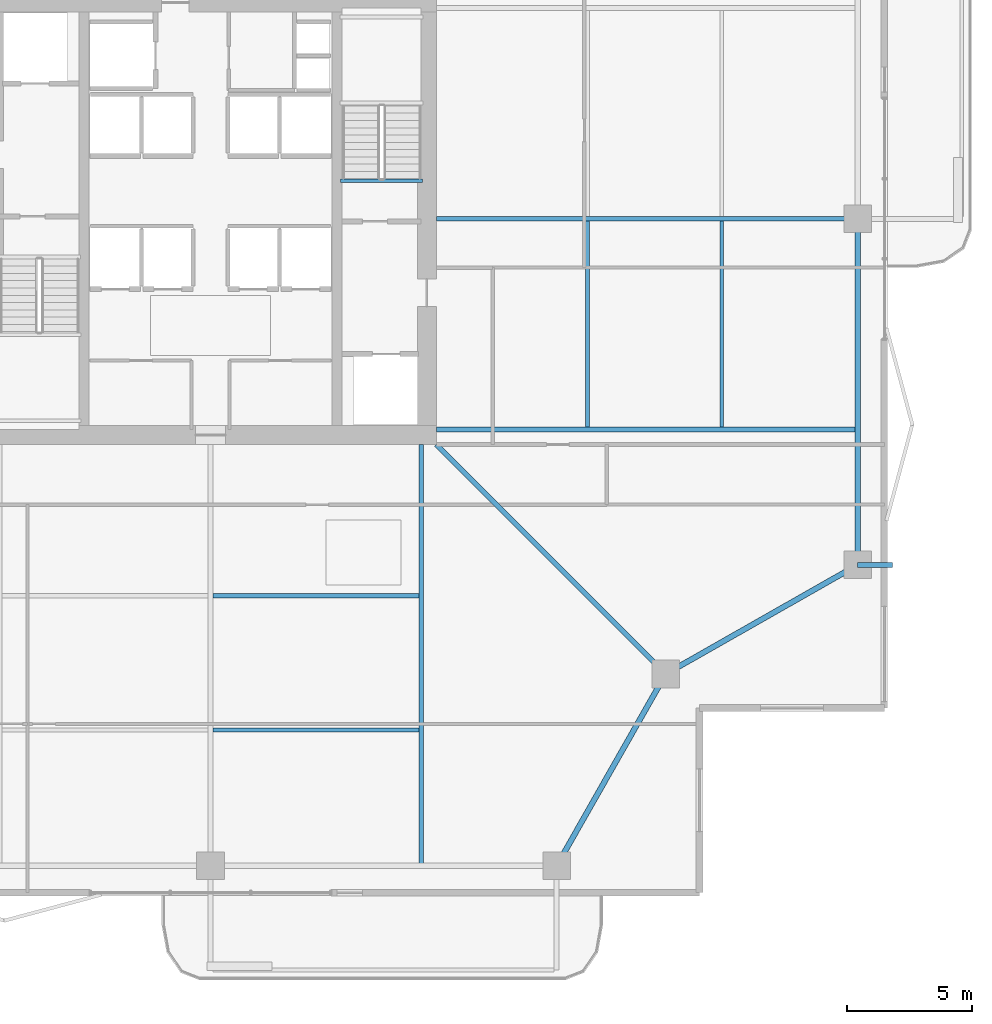
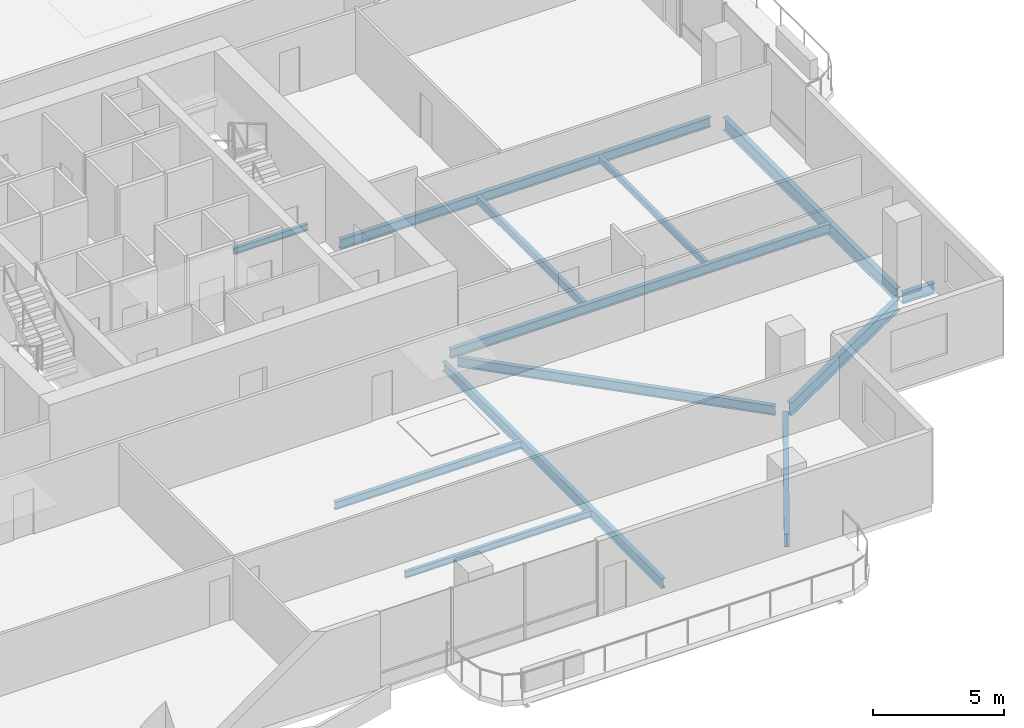
# One storey, part 7 of 24: 13 beams.
"""IFC4 building model written with IfcOpenShell, lengths in metres."""

import ifcopenshell
import ifcopenshell.guid

model = None  # the IFC model being written
_history = None  # IfcOwnerHistory: only IFC2X3 demands one
_inside = {}  # id of a spatial element -> (the spatial element, [elements in it])
_under = {}  # id of a project, library or spatial element -> (it, [spatial elements below it])
_declared = {}  # id of a project -> (the project, [libraries it declares])
_typed = {}  # id of a type object -> (the type object, [elements of that type])
_made_of = {}  # id of a material, layer set ... -> (it, [elements and type objects made of it])


def new_model(schema):
    """Start an empty IFC model of exactly this schema.

    Asked for "IFC4X3", IfcOpenShell would pick the latest addendum, in which some entities
    have other attributes; the version numbers below select the first issue.
    IFC2X3 requires an IfcOwnerHistory on every rooted entity: one is made here for all.
    """
    global model, _history
    if schema == "IFC4X3":
        model = ifcopenshell.file(schema_version=(4, 3, 0, 0))
    else:
        model = ifcopenshell.file(schema=schema)
    _inside.clear()
    _under.clear()
    _declared.clear()
    _typed.clear()
    _made_of.clear()
    _history = None
    if model.schema == "IFC2X3":
        org = make("IfcOrganization", Name="unknown")
        user = make(
            "IfcPersonAndOrganization",
            ThePerson=make("IfcPerson", FamilyName="unknown"),
            TheOrganization=org,
        )
        app = make(
            "IfcApplication",
            ApplicationDeveloper=org,
            Version="unknown",
            ApplicationFullName="unknown",
            ApplicationIdentifier="unknown",
        )
        _history = make(
            "IfcOwnerHistory",
            OwningUser=user,
            OwningApplication=app,
            ChangeAction="ADDED",
            CreationDate=0,
        )
    return model


def make(cls, **values):
    """One entity of the class cls with the attributes given. An attribute that is None is left unset."""
    return model.create_entity(
        cls, **{name: value for name, value in values.items() if value is not None}
    )


def rooted(cls, **values):
    """An entity with a GlobalId (a new one), such as an element, a storey or a relation."""
    return make(cls, GlobalId=ifcopenshell.guid.new(), OwnerHistory=_history, **values)


def si_unit(unit_type, name, prefix=None):
    """IfcSIUnit, for example si_unit("LENGTHUNIT", "METRE", prefix="MILLI")."""
    return make("IfcSIUnit", UnitType=unit_type, Prefix=prefix, Name=name)


def assignment(units):
    """IfcUnitAssignment: the units of a project."""
    return None if units is None else make("IfcUnitAssignment", Units=units)


def point(xyz):
    """IfcCartesianPoint."""
    return None if xyz is None else make("IfcCartesianPoint", Coordinates=xyz)


def direction(xyz):
    """IfcDirection."""
    return None if xyz is None else make("IfcDirection", DirectionRatios=xyz)


def frame(location, z_axis=None, x_axis=None):
    """IfcAxis2Placement3D, a coordinate frame: its origin and axes. An axis left out is left unset."""
    return make(
        "IfcAxis2Placement3D",
        Location=point(location),
        Axis=direction(z_axis),
        RefDirection=direction(x_axis),
    )


def frame_2d(location, x_axis=None):
    """IfcAxis2Placement2D, a coordinate frame in the plane: its origin and x axis."""
    return make(
        "IfcAxis2Placement2D", Location=point(location), RefDirection=direction(x_axis)
    )


def origin():
    """The frame at (0, 0, 0) with its axes left unset."""
    return frame((0.0, 0.0, 0.0))


def origin_2d():
    """The frame at (0, 0) in the plane with its x axis left unset."""
    return frame_2d((0.0, 0.0))


def place(relative_to, where):
    """IfcLocalPlacement: puts the frame where relative to a parent placement (None: the world)."""
    return make(
        "IfcLocalPlacement", PlacementRelTo=relative_to, RelativePlacement=where
    )


def context(
    kind, dimensions, precision=None, world=None, true_north=None, identifier=None
):
    """IfcGeometricRepresentationContext, for example the 3D "Model" context."""
    return make(
        "IfcGeometricRepresentationContext",
        ContextIdentifier=identifier,
        ContextType=kind,
        CoordinateSpaceDimension=dimensions,
        Precision=precision,
        WorldCoordinateSystem=world,
        TrueNorth=true_north,
    )


def subcontext(parent, identifier, kind, view, scale=None):
    """IfcGeometricRepresentationSubContext, for example "Body" below "Model"."""
    return make(
        "IfcGeometricRepresentationSubContext",
        ContextIdentifier=identifier,
        ContextType=kind,
        ParentContext=parent,
        TargetScale=scale,
        TargetView=view,
    )


def project(units=None, contexts=None):
    """IfcProject with its units and contexts."""
    return rooted(
        "IfcProject",
        Name="project",
        RepresentationContexts=contexts,
        UnitsInContext=assignment(units),
    )


def spatial(cls, under=None, at=None, **own):
    """A site, building, storey or space (cls), placed at a placement, below another one or the project."""
    s = rooted(cls, ObjectPlacement=at, **own)
    if under is not None:
        _under.setdefault(under.id(), (under, []))[1].append(s)
    return s


def profile(cls, at=None, kind="AREA", **sizes):
    """A parametric profile (cls). Its sizes go by their IFC names, for example OverallWidth=200.0."""
    return make(cls, ProfileType=kind, Position=at, **sizes)


def i_section(**sizes):
    """IfcIShapeProfileDef."""
    return profile("IfcIShapeProfileDef", **sizes)


def extrude(swept, where, along, depth):
    """IfcExtrudedAreaSolid: the profile swept, set in the frame where, extruded along a direction by depth."""
    return make(
        "IfcExtrudedAreaSolid",
        SweptArea=swept,
        Position=where,
        ExtrudedDirection=direction(along),
        Depth=depth,
    )


def shape(context_of_items, identifier, shape_type, items):
    """IfcShapeRepresentation: the items that make up one representation, for example the "Body"."""
    return make(
        "IfcShapeRepresentation",
        ContextOfItems=context_of_items,
        RepresentationIdentifier=identifier,
        RepresentationType=shape_type,
        Items=items,
    )


def material(Name=None, Category=None):
    """IfcMaterial."""
    return make("IfcMaterial", Name=Name, Category=Category)


def material_profile(
    of_material, cross_section, Name=None, Category=None, Priority=None
):
    """IfcMaterialProfile: a cross section and its material."""
    return make(
        "IfcMaterialProfile",
        Name=Name,
        Material=of_material,
        Profile=cross_section,
        Priority=Priority,
        Category=Category,
    )


def profile_set(profiles, Name=None, composite=None):
    """IfcMaterialProfileSet."""
    return make(
        "IfcMaterialProfileSet",
        Name=Name,
        MaterialProfiles=profiles,
        CompositeProfile=composite,
    )


def made_of(thing, what):
    """Note that an element or type object is made of a material, layer set ...; save() writes the relation."""
    if what is not None:
        _made_of.setdefault(what.id(), (what, []))[1].append(thing)
    return thing


def type_object(cls, material=None, **own):
    """A type object (cls), such as IfcWallType, which elements share."""
    return made_of(rooted(cls, **own), material)


def element(
    cls,
    number,
    at=None,
    inside=None,
    cuts=None,
    type_object=None,
    material=None,
    context=None,
    identifier="Body",
    shape_type=None,
    held_by="IfcProductDefinitionShape",
    body=None,
    shapes=None,
    **own,
):
    """One element of the class cls, such as IfcWall. Its Tag is "e" and its number.

    at: its placement. inside: the storey or other place that contains it. cuts: it is an
    opening in that element (IfcRelVoidsElement). A single representation is given by context,
    identifier, shape_type and body (its items); several are given by shapes. held_by: the class
    of the entity that holds the representations. save() writes the other relations.
    """
    e = rooted(cls, Tag="e%d" % number, ObjectPlacement=at, **own)
    if body is not None:
        shapes = [shape(context, identifier, shape_type, body)]
    if shapes is not None:
        e.Representation = make(held_by, Representations=shapes)
    if inside is not None:
        _inside.setdefault(inside.id(), (inside, []))[1].append(e)
    if cuts is not None:
        rooted(
            "IfcRelVoidsElement", RelatingBuildingElement=cuts, RelatedOpeningElement=e
        )
    if type_object is not None:
        _typed.setdefault(type_object.id(), (type_object, []))[1].append(e)
    return made_of(e, material)


def aggregate(whole, parts):
    """IfcRelAggregates: a whole, such as a stair, and the parts it consists of."""
    return rooted("IfcRelAggregates", RelatingObject=whole, RelatedObjects=parts)


def save(model, path):
    """Write the relations noted so far, then the file.

    IfcRelAggregates (storeys below a building ...), IfcRelContainedInSpatialStructure (elements
    in a storey), IfcRelDefinesByType, IfcRelAssociatesMaterial and IfcRelDeclares: one each for
    every whole, place, type object, material and project.
    """
    for whole, parts in _under.values():
        aggregate(whole, parts)
    for where, things in _inside.values():
        rooted(
            "IfcRelContainedInSpatialStructure",
            RelatedElements=things,
            RelatingStructure=where,
        )
    for kind, things in _typed.values():
        rooted("IfcRelDefinesByType", RelatedObjects=things, RelatingType=kind)
    for what, things in _made_of.values():
        rooted("IfcRelAssociatesMaterial", RelatedObjects=things, RelatingMaterial=what)
    for by, libraries in _declared.values():
        rooted("IfcRelDeclares", RelatingContext=by, RelatedDefinitions=libraries)
    model.write(path)


model = new_model("IFC4")

# Units and contexts
model_context = context("Model", 3, precision=1e-05, world=origin(), true_north=direction((0.0, 1.0)))
body_context = subcontext(model_context, "Body", "Model", "MODEL_VIEW")
ifc_project = project(units=[si_unit("LENGTHUNIT", "METRE"), si_unit("AREAUNIT", "SQUARE_METRE"), si_unit("VOLUMEUNIT", "CUBIC_METRE"), si_unit("PLANEANGLEUNIT", "RADIAN"), si_unit("MASSUNIT", "GRAM", prefix="KILO")], contexts=[model_context])

# Site, building, storey
site_placement = place(None, origin())
site = spatial("IfcSite", under=ifc_project, at=site_placement, CompositionType="ELEMENT")
building_placement = place(site_placement, origin())
building = spatial("IfcBuilding", under=site, at=building_placement, Name="Belovzor Exchange Tower", CompositionType="ELEMENT")
storey_placement = place(building_placement, frame((0.0, 0.0, 214.949951171875)))
storey = spatial("IfcBuildingStorey", under=building, at=storey_placement, Name="L53", CompositionType="ELEMENT", Elevation=214.949951171875)

# Beams
ifc_material_1 = material(Name="Steel S355", Category="steel")
ifc_material_profile_1 = material_profile(ifc_material_1, i_section(OverallWidth=0.199951171875, OverallDepth=0.5, WebThickness=0.01025390625, FlangeThickness=0.01611328125, at=origin_2d()))
ifc_profile_set_1 = profile_set([ifc_material_profile_1], Name="Steel S355")
beam_type_1 = type_object("IfcBeamType", Name="Planted Balcony Cantilever Beam IPE 500", PredefinedType="BEAM", material=ifc_profile_set_1)
beam_1_placement = place(storey_placement, frame((54.60009765625, 15.0, -0.5), z_axis=(1.0, 0.0, 0.0), x_axis=(0.0, 1.0, 0.0)))
element("IfcBeam", 1, at=beam_1_placement, inside=storey, type_object=beam_type_1, Name="BC-500 Planted Balcony Cantilever Beam IPE 500", PredefinedType="BEAM", context=body_context, shape_type="SweptSolid", body=[
    extrude(i_section(OverallWidth=0.199951171875, OverallDepth=0.5, WebThickness=0.01025390625, FlangeThickness=0.01611328125, at=origin_2d()), origin(), (0.0, 0.0, 1.0), 1.39990234375),
])
ifc_material_2 = material(Name="Steel S355", Category="steel")
ifc_material_profile_2 = material_profile(ifc_material_2, i_section(OverallWidth=0.169921875, OverallDepth=0.360107421875, WebThickness=0.008056640625, FlangeThickness=0.0126953125, at=origin_2d()))
ifc_profile_set_2 = profile_set([ifc_material_profile_2], Name="Steel S355")
beam_type_2 = type_object("IfcBeamType", Name="Secondary Infill Floor Joist IPE 360", PredefinedType="BEAM", material=ifc_profile_set_2)
for number, where, z_axis, x_axis, name in (
    (2, (28.89501953125, 13.77197265625, -0.429931640625), (1.0, 0.0, 0.0), (0.0, 1.0, 0.0), "FJ-360 Secondary Infill Floor Joist IPE 360"),
    (3, (43.827880859375, 20.4951171875, -0.429931640625), (0.0, 1.0, 0.0), (-1.0, 0.0, 0.0), "FJ-360 Secondary Infill Floor Joist IPE 360"),
):
    element("IfcBeam", number, at=place(storey_placement, frame(where, z_axis=z_axis, x_axis=x_axis)), inside=storey, type_object=beam_type_2, Name=name, PredefinedType="BEAM", context=body_context, shape_type="SweptSolid", body=[
        extrude(i_section(OverallWidth=0.169921875, OverallDepth=0.360107421875, WebThickness=0.008056640625, FlangeThickness=0.0126953125, at=origin_2d()), origin(), (0.0, 0.0, 1.0), 8.2099609375),
    ])
ifc_material_3 = material(Name="Steel S355", Category="steel")
ifc_material_profile_3 = material_profile(ifc_material_3, i_section(OverallWidth=0.14990234375, OverallDepth=0.300048828125, WebThickness=0.007080078125, FlangeThickness=0.0107421875, at=origin_2d()))
ifc_profile_set_3 = profile_set([ifc_material_profile_3], Name="Steel S355")
beam_type_3 = type_object("IfcBeamType", Name="Secondary Trim Floor Joist IPE 300", PredefinedType="BEAM", material=ifc_profile_set_3)
beam_2_placement = place(storey_placement, frame((37.260009765625, 30.320068359375, -0.39990234375), z_axis=(-1.0, 0.0, 0.0), x_axis=(0.0, -1.0, 0.0)))
element("IfcBeam", 4, at=beam_2_placement, inside=storey, type_object=beam_type_3, Name="FJ-300 Secondary Trim Floor Joist IPE 300", PredefinedType="BEAM", context=body_context, shape_type="SweptSolid", body=[
    extrude(i_section(OverallWidth=0.14990234375, OverallDepth=0.300048828125, WebThickness=0.007080078125, FlangeThickness=0.0107421875, at=origin_2d()), origin(), (0.0, 0.0, 1.0), 3.27001953125),
])
for number, where, z_axis, x_axis, name in (
    (5, (28.89501953125, 8.4130859375, -0.39990234375), (1.0, 0.0, 0.0), (0.0, 1.0, 0.0), "FJ-300 Secondary Trim Floor Joist IPE 300"),
    (6, (49.18701171875, 20.4951171875, -0.39990234375), (0.0, 1.0, 0.0), (-1.0, 0.0, 0.0), "FJ-300 Secondary Trim Floor Joist IPE 300"),
):
    element("IfcBeam", number, at=place(storey_placement, frame(where, z_axis=z_axis, x_axis=x_axis)), inside=storey, type_object=beam_type_3, Name=name, PredefinedType="BEAM", context=body_context, shape_type="SweptSolid", body=[
        extrude(i_section(OverallWidth=0.14990234375, OverallDepth=0.300048828125, WebThickness=0.007080078125, FlangeThickness=0.0107421875, at=origin_2d()), origin(), (0.0, 0.0, 1.0), 8.2099609375),
    ])
ifc_material_4 = material(Name="Steel S355", Category="steel")
ifc_material_profile_4 = material_profile(ifc_material_4, i_section(OverallWidth=0.18994140625, OverallDepth=0.449951171875, WebThickness=0.009521484375, FlangeThickness=0.0146484375, at=origin_2d()))
ifc_profile_set_4 = profile_set([ifc_material_profile_4], Name="Steel S355")
beam_type_4 = type_object("IfcBeamType", Name="Zone 2-4 Radial Composite Floor Beam IPE 450", PredefinedType="BEAM", material=ifc_profile_set_4)
beam_3_placement = place(storey_placement, frame((37.199951171875, 19.800048828125, -0.474853515625), z_axis=(0.0, -1.0, 0.0), x_axis=(1.0, 0.0, 0.0)))
element("IfcBeam", 7, at=beam_3_placement, inside=storey, type_object=beam_type_4, Name="FB-450 Zone 2-4 Radial Composite Floor Beam IPE 450", PredefinedType="BEAM", context=body_context, shape_type="SweptSolid", body=[
    extrude(i_section(OverallWidth=0.18994140625, OverallDepth=0.449951171875, WebThickness=0.009521484375, FlangeThickness=0.0146484375, at=origin_2d()), origin(), (0.0, 0.0, 1.0), 16.7451171875),
])
beam_4_placement = place(storey_placement, frame((37.800048828125, 20.39990234375, -0.474853515625), z_axis=(1.0, 0.0, 0.0), x_axis=(0.0, 1.0, 0.0)))
element("IfcBeam", 8, at=beam_4_placement, inside=storey, type_object=beam_type_4, Name="FB-450 Zone 2-4 Radial Composite Floor Beam IPE 450", PredefinedType="BEAM", context=body_context, shape_type="SweptSolid", body=[
    extrude(i_section(OverallWidth=0.18994140625, OverallDepth=0.449951171875, WebThickness=0.009521484375, FlangeThickness=0.0146484375, at=origin_2d()), origin(), (0.0, 0.0, 1.0), 16.744873046875),
])
beam_5_placement = place(storey_placement, frame((37.800048828125, 28.800048828125, -0.474853515625), z_axis=(1.0, 0.0, 0.0), x_axis=(0.0, 1.0, 0.0)))
element("IfcBeam", 9, at=beam_5_placement, inside=storey, type_object=beam_type_4, Name="FB-450 Zone 2-4 Radial Composite Floor Beam IPE 450", PredefinedType="BEAM", context=body_context, shape_type="SweptSolid", body=[
    extrude(i_section(OverallWidth=0.18994140625, OverallDepth=0.449951171875, WebThickness=0.009521484375, FlangeThickness=0.0146484375, at=origin_2d()), origin(), (0.0, 0.0, 1.0), 16.31591796875),
])
beam_6_placement = place(storey_placement, frame((37.800048828125, 19.800048828125, -0.474853515625), z_axis=(0.707106781187, -0.707106781187, 0.0), x_axis=(0.707106781187, 0.707106781187, 0.0)))
element("IfcBeam", 10, at=beam_6_placement, inside=storey, type_object=beam_type_4, Name="FB-450 Zone 2-4 Radial Composite Floor Beam IPE 450", PredefinedType="BEAM", context=body_context, shape_type="SweptSolid", body=[
    extrude(i_section(OverallWidth=0.18994140625, OverallDepth=0.449951171875, WebThickness=0.009521484375, FlangeThickness=0.0146484375, at=origin_2d()), origin(), (0.0, 0.0, 1.0), 12.551025390625),
])
ifc_material_5 = material(Name="Steel S355", Category="steel")
ifc_material_profile_5 = material_profile(ifc_material_5, i_section(OverallWidth=0.219970703125, OverallDepth=0.60009765625, WebThickness=0.011962890625, FlangeThickness=0.01904296875, at=origin_2d()))
ifc_profile_set_5 = profile_set([ifc_material_profile_5], Name="Steel S355")
beam_type_5 = type_object("IfcBeamType", Name="Zone 4 Flare Primary Girder IPE 600", PredefinedType="BEAM", material=ifc_profile_set_5)
for number, where, z_axis, x_axis, name in (
    (11, (42.75, 3.262939453125, -0.550048828125), (0.494222323641, 0.869335547884, 0.0), (-0.869335547884, 0.494222323641, 0.0), "FG-Z4 Zone 4 Flare Primary Girder IPE 600"),
    (12, (47.212890625, 10.800048828125, -0.550048828125), (0.869335547884, 0.494222323641, 0.0), (-0.494222323641, 0.869335547884, 0.0), "FG-Z4 Zone 4 Flare Primary Girder IPE 600"),
):
    element("IfcBeam", number, at=place(storey_placement, frame(where, z_axis=z_axis, x_axis=x_axis)), inside=storey, type_object=beam_type_5, Name=name, PredefinedType="BEAM", context=body_context, shape_type="SweptSolid", body=[
        extrude(i_section(OverallWidth=0.219970703125, OverallDepth=0.60009765625, WebThickness=0.011962890625, FlangeThickness=0.01904296875, at=origin_2d()), origin(), (0.0, 0.0, 1.0), 8.19482421875),
    ])
beam_7_placement = place(storey_placement, frame((54.60009765625, 15.302978515625, -0.550048828125), z_axis=(0.0, 1.0, 0.0), x_axis=(-1.0, 0.0, 0.0)))
element("IfcBeam", 13, at=beam_7_placement, inside=storey, type_object=beam_type_5, Name="FG-Z4 Zone 4 Flare Primary Girder IPE 600", PredefinedType="BEAM", context=body_context, shape_type="SweptSolid", body=[
    extrude(i_section(OverallWidth=0.219970703125, OverallDepth=0.60009765625, WebThickness=0.011962890625, FlangeThickness=0.01904296875, at=origin_2d()), origin(), (0.0, 0.0, 1.0), 13.195068359375),
])

save(model, "model.ifc")
